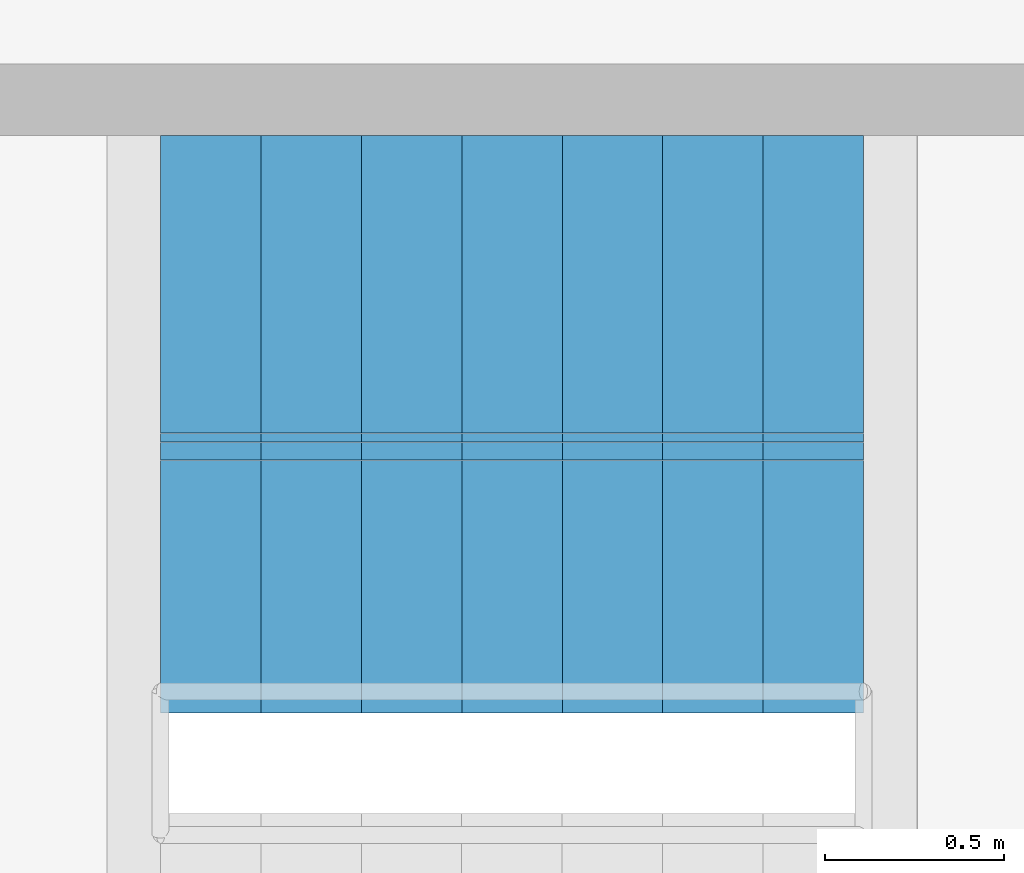
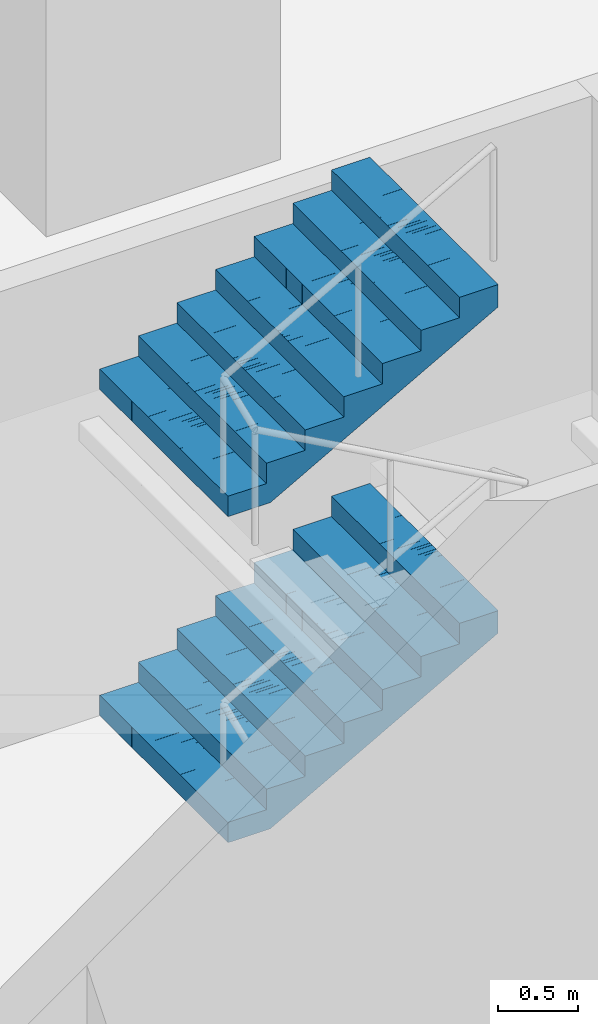
# One storey, part 22 of 23: 2 stair flights, 1 element without a shape of its own.
"""IFC4 building model written with IfcOpenShell, lengths in metres."""

import ifcopenshell
import ifcopenshell.guid

model = None  # the IFC model being written
_history = None  # IfcOwnerHistory: only IFC2X3 demands one
_inside = {}  # id of a spatial element -> (the spatial element, [elements in it])
_under = {}  # id of a project, library or spatial element -> (it, [spatial elements below it])
_declared = {}  # id of a project -> (the project, [libraries it declares])
_typed = {}  # id of a type object -> (the type object, [elements of that type])
_made_of = {}  # id of a material, layer set ... -> (it, [elements and type objects made of it])


def new_model(schema):
    """Start an empty IFC model of exactly this schema.

    Asked for "IFC4X3", IfcOpenShell would pick the latest addendum, in which some entities
    have other attributes; the version numbers below select the first issue.
    IFC2X3 requires an IfcOwnerHistory on every rooted entity: one is made here for all.
    """
    global model, _history
    if schema == "IFC4X3":
        model = ifcopenshell.file(schema_version=(4, 3, 0, 0))
    else:
        model = ifcopenshell.file(schema=schema)
    _inside.clear()
    _under.clear()
    _declared.clear()
    _typed.clear()
    _made_of.clear()
    _history = None
    if model.schema == "IFC2X3":
        org = make("IfcOrganization", Name="unknown")
        user = make(
            "IfcPersonAndOrganization",
            ThePerson=make("IfcPerson", FamilyName="unknown"),
            TheOrganization=org,
        )
        app = make(
            "IfcApplication",
            ApplicationDeveloper=org,
            Version="unknown",
            ApplicationFullName="unknown",
            ApplicationIdentifier="unknown",
        )
        _history = make(
            "IfcOwnerHistory",
            OwningUser=user,
            OwningApplication=app,
            ChangeAction="ADDED",
            CreationDate=0,
        )
    return model


def make(cls, **values):
    """One entity of the class cls with the attributes given. An attribute that is None is left unset."""
    return model.create_entity(
        cls, **{name: value for name, value in values.items() if value is not None}
    )


def rooted(cls, **values):
    """An entity with a GlobalId (a new one), such as an element, a storey or a relation."""
    return make(cls, GlobalId=ifcopenshell.guid.new(), OwnerHistory=_history, **values)


def si_unit(unit_type, name, prefix=None):
    """IfcSIUnit, for example si_unit("LENGTHUNIT", "METRE", prefix="MILLI")."""
    return make("IfcSIUnit", UnitType=unit_type, Prefix=prefix, Name=name)


def assignment(units):
    """IfcUnitAssignment: the units of a project."""
    return None if units is None else make("IfcUnitAssignment", Units=units)


def point(xyz):
    """IfcCartesianPoint."""
    return None if xyz is None else make("IfcCartesianPoint", Coordinates=xyz)


def direction(xyz):
    """IfcDirection."""
    return None if xyz is None else make("IfcDirection", DirectionRatios=xyz)


def frame(location, z_axis=None, x_axis=None):
    """IfcAxis2Placement3D, a coordinate frame: its origin and axes. An axis left out is left unset."""
    return make(
        "IfcAxis2Placement3D",
        Location=point(location),
        Axis=direction(z_axis),
        RefDirection=direction(x_axis),
    )


def origin():
    """The frame at (0, 0, 0) with its axes left unset."""
    return frame((0.0, 0.0, 0.0))


def place(relative_to, where):
    """IfcLocalPlacement: puts the frame where relative to a parent placement (None: the world)."""
    return make(
        "IfcLocalPlacement", PlacementRelTo=relative_to, RelativePlacement=where
    )


def context(
    kind, dimensions, precision=None, world=None, true_north=None, identifier=None
):
    """IfcGeometricRepresentationContext, for example the 3D "Model" context."""
    return make(
        "IfcGeometricRepresentationContext",
        ContextIdentifier=identifier,
        ContextType=kind,
        CoordinateSpaceDimension=dimensions,
        Precision=precision,
        WorldCoordinateSystem=world,
        TrueNorth=true_north,
    )


def subcontext(parent, identifier, kind, view, scale=None):
    """IfcGeometricRepresentationSubContext, for example "Body" below "Model"."""
    return make(
        "IfcGeometricRepresentationSubContext",
        ContextIdentifier=identifier,
        ContextType=kind,
        ParentContext=parent,
        TargetScale=scale,
        TargetView=view,
    )


def project(units=None, contexts=None):
    """IfcProject with its units and contexts."""
    return rooted(
        "IfcProject",
        Name="project",
        RepresentationContexts=contexts,
        UnitsInContext=assignment(units),
    )


def spatial(cls, under=None, at=None, **own):
    """A site, building, storey or space (cls), placed at a placement, below another one or the project."""
    s = rooted(cls, ObjectPlacement=at, **own)
    if under is not None:
        _under.setdefault(under.id(), (under, []))[1].append(s)
    return s


def polyline(points):
    """IfcPolyline through the points."""
    return make("IfcPolyline", Points=[point(p) for p in points])


def outline(outer, holes=None, kind="AREA"):
    """IfcArbitraryClosedProfileDef: a profile drawn as a closed curve; with holes, ...WithVoids."""
    if holes is None:
        return make("IfcArbitraryClosedProfileDef", ProfileType=kind, OuterCurve=outer)
    return make(
        "IfcArbitraryProfileDefWithVoids",
        ProfileType=kind,
        OuterCurve=outer,
        InnerCurves=holes,
    )


def extrude(swept, where, along, depth):
    """IfcExtrudedAreaSolid: the profile swept, set in the frame where, extruded along a direction by depth."""
    return make(
        "IfcExtrudedAreaSolid",
        SweptArea=swept,
        Position=where,
        ExtrudedDirection=direction(along),
        Depth=depth,
    )


def shape(context_of_items, identifier, shape_type, items):
    """IfcShapeRepresentation: the items that make up one representation, for example the "Body"."""
    return make(
        "IfcShapeRepresentation",
        ContextOfItems=context_of_items,
        RepresentationIdentifier=identifier,
        RepresentationType=shape_type,
        Items=items,
    )


def material(Name=None, Category=None):
    """IfcMaterial."""
    return make("IfcMaterial", Name=Name, Category=Category)


def made_of(thing, what):
    """Note that an element or type object is made of a material, layer set ...; save() writes the relation."""
    if what is not None:
        _made_of.setdefault(what.id(), (what, []))[1].append(thing)
    return thing


def type_object(cls, material=None, **own):
    """A type object (cls), such as IfcWallType, which elements share."""
    return made_of(rooted(cls, **own), material)


def element(
    cls,
    number,
    at=None,
    inside=None,
    cuts=None,
    type_object=None,
    material=None,
    context=None,
    identifier="Body",
    shape_type=None,
    held_by="IfcProductDefinitionShape",
    body=None,
    shapes=None,
    **own,
):
    """One element of the class cls, such as IfcWall. Its Tag is "e" and its number.

    at: its placement. inside: the storey or other place that contains it. cuts: it is an
    opening in that element (IfcRelVoidsElement). A single representation is given by context,
    identifier, shape_type and body (its items); several are given by shapes. held_by: the class
    of the entity that holds the representations. save() writes the other relations.
    """
    e = rooted(cls, Tag="e%d" % number, ObjectPlacement=at, **own)
    if body is not None:
        shapes = [shape(context, identifier, shape_type, body)]
    if shapes is not None:
        e.Representation = make(held_by, Representations=shapes)
    if inside is not None:
        _inside.setdefault(inside.id(), (inside, []))[1].append(e)
    if cuts is not None:
        rooted(
            "IfcRelVoidsElement", RelatingBuildingElement=cuts, RelatedOpeningElement=e
        )
    if type_object is not None:
        _typed.setdefault(type_object.id(), (type_object, []))[1].append(e)
    return made_of(e, material)


def aggregate(whole, parts):
    """IfcRelAggregates: a whole, such as a stair, and the parts it consists of."""
    return rooted("IfcRelAggregates", RelatingObject=whole, RelatedObjects=parts)


def save(model, path):
    """Write the relations noted so far, then the file.

    IfcRelAggregates (storeys below a building ...), IfcRelContainedInSpatialStructure (elements
    in a storey), IfcRelDefinesByType, IfcRelAssociatesMaterial and IfcRelDeclares: one each for
    every whole, place, type object, material and project.
    """
    for whole, parts in _under.values():
        aggregate(whole, parts)
    for where, things in _inside.values():
        rooted(
            "IfcRelContainedInSpatialStructure",
            RelatedElements=things,
            RelatingStructure=where,
        )
    for kind, things in _typed.values():
        rooted("IfcRelDefinesByType", RelatedObjects=things, RelatingType=kind)
    for what, things in _made_of.values():
        rooted("IfcRelAssociatesMaterial", RelatedObjects=things, RelatingMaterial=what)
    for by, libraries in _declared.values():
        rooted("IfcRelDeclares", RelatingContext=by, RelatedDefinitions=libraries)
    model.write(path)


model = new_model("IFC4")

# Units and contexts
model_context = context("Model", 3, precision=1e-05, world=origin(), true_north=direction((0.0, 1.0)))
body_context = subcontext(model_context, "Body", "Model", "MODEL_VIEW")
ifc_project = project(units=[si_unit("LENGTHUNIT", "METRE"), si_unit("AREAUNIT", "SQUARE_METRE"), si_unit("VOLUMEUNIT", "CUBIC_METRE"), si_unit("PLANEANGLEUNIT", "RADIAN"), si_unit("MASSUNIT", "GRAM", prefix="KILO")], contexts=[model_context])

# Site, building, storey
site_placement = place(None, origin())
site = spatial("IfcSite", under=ifc_project, at=site_placement, CompositionType="ELEMENT")
building_placement = place(site_placement, origin())
building = spatial("IfcBuilding", under=site, at=building_placement, Name="Mizan Broadcast Tower", CompositionType="ELEMENT")
storey_placement = place(building_placement, frame((0.0, 0.0, 23.0)))
storey = spatial("IfcBuildingStorey", under=building, at=storey_placement, Name="L03", CompositionType="ELEMENT", Elevation=23.0)

# Stair, stair flights
ifc_material_1 = material(Name="Concrete C40/50", Category="concrete")
stair_type = type_object("IfcStairType", Name="EXIT STAIR", PredefinedType="HALF_TURN_STAIR", material=ifc_material_1)
stair_placement = place(storey_placement, origin())
stair = element("IfcStair", 1, at=stair_placement, inside=storey, type_object=stair_type, Name="Stair C L03", PredefinedType="HALF_TURN_STAIR")
ifc_material_2 = material(Name="Concrete C40/50", Category="concrete")
stair_flight_type = type_object("IfcStairFlightType", Name="EXIT STAIR FLIGHT", PredefinedType="STRAIGHT", material=ifc_material_2)
stair_flight_1_placement = place(storey_placement, frame((22.929931640625, 4.094970703125, 1.25), z_axis=(0.0, 0.0, 1.0), x_axis=(1.0, 0.0, 0.0)))
stair_flight_1 = element("IfcStairFlight", 2, at=stair_flight_1_placement, type_object=stair_flight_type, Name="C flight 2", NumberOfRisers=8, NumberOfTreads=7, PredefinedType="STRAIGHT", RiserHeight=0.15625, TreadLength=0.28, context=body_context, shape_type="SweptSolid", body=[
    extrude(outline(polyline([(0.0, 0.0), (0.0, 0.15625), (0.280029296875, 0.15625), (0.280029296875, 0.3125), (0.56005859375, 0.3125), (0.56005859375, 0.46875), (0.840087890625, 0.46875), (0.840087890625, 0.625), (1.1201171875, 0.625), (1.1201171875, 0.78125), (1.39990234375, 0.78125), (1.39990234375, 0.9375), (1.679931640625, 0.9375), (1.679931640625, 1.09375), (1.9599609375, 1.09375), (1.9599609375, 1.25), (1.9599609375, 0.922119140625), (0.3076171875, 0.0), (0.0, 0.0)])), frame((0.0, 0.80517578125, 0.0), z_axis=(0.0, -1.0, 0.0), x_axis=(1.0, 0.0, 0.0)), (0.0, 0.0, 1.0), 0.40234375),
    extrude(outline(polyline([(0.0, 0.0), (0.0, 0.15625), (0.280029296875, 0.15625), (0.280029296875, 0.3125), (0.56005859375, 0.3125), (0.56005859375, 0.46875), (0.840087890625, 0.46875), (0.840087890625, 0.625), (1.1201171875, 0.625), (1.1201171875, 0.78125), (1.39990234375, 0.78125), (1.39990234375, 0.9375), (1.679931640625, 0.9375), (1.679931640625, 1.09375), (1.9599609375, 1.09375), (1.9599609375, 1.25), (1.9599609375, 0.922119140625), (0.3076171875, 0.0), (0.0, 0.0)])), frame((0.0, 0.40234375, 0.0), z_axis=(0.0, -1.0, 0.0), x_axis=(1.0, 0.0, 0.0)), (0.0, 0.0, 1.0), 0.20068359375),
    extrude(outline(polyline([(0.0, 0.0), (0.0, 0.15625), (0.280029296875, 0.15625), (0.280029296875, 0.3125), (0.56005859375, 0.3125), (0.56005859375, 0.46875), (0.840087890625, 0.46875), (0.840087890625, 0.625), (1.1201171875, 0.625), (1.1201171875, 0.78125), (1.39990234375, 0.78125), (1.39990234375, 0.9375), (1.679931640625, 0.9375), (1.679931640625, 1.09375), (1.9599609375, 1.09375), (1.9599609375, 1.25), (1.9599609375, 0.922119140625), (0.3076171875, 0.0), (0.0, 0.0)])), frame((0.0, 0.201171875, 0.0), z_axis=(0.0, -1.0, 0.0), x_axis=(1.0, 0.0, 0.0)), (0.0, 0.0, 1.0), 0.10009765625),
    extrude(outline(polyline([(0.0, 0.0), (0.0, 0.15625), (0.280029296875, 0.15625), (0.280029296875, 0.3125), (0.56005859375, 0.3125), (0.56005859375, 0.46875), (0.840087890625, 0.46875), (0.840087890625, 0.625), (1.1201171875, 0.625), (1.1201171875, 0.78125), (1.39990234375, 0.78125), (1.39990234375, 0.9375), (1.679931640625, 0.9375), (1.679931640625, 1.09375), (1.9599609375, 1.09375), (1.9599609375, 1.25), (1.9599609375, 0.922119140625), (0.3076171875, 0.0), (0.0, 0.0)])), frame((0.0, 0.1005859375, 0.0), z_axis=(0.0, -1.0, 0.0), x_axis=(1.0, 0.0, 0.0)), (0.0, 0.0, 1.0), 0.0498046875),
    extrude(outline(polyline([(0.0, 0.0), (0.0, 0.15625), (0.280029296875, 0.15625), (0.280029296875, 0.3125), (0.56005859375, 0.3125), (0.56005859375, 0.46875), (0.840087890625, 0.46875), (0.840087890625, 0.625), (1.1201171875, 0.625), (1.1201171875, 0.78125), (1.39990234375, 0.78125), (1.39990234375, 0.9375), (1.679931640625, 0.9375), (1.679931640625, 1.09375), (1.9599609375, 1.09375), (1.9599609375, 1.25), (1.9599609375, 0.922119140625), (0.3076171875, 0.0), (0.0, 0.0)])), frame((0.0, 0.05029296875, 0.0), z_axis=(0.0, -1.0, 0.0), x_axis=(1.0, 0.0, 0.0)), (0.0, 0.0, 1.0), 0.024658203125),
    extrude(outline(polyline([(0.0, 0.0), (0.0, 0.15625), (0.280029296875, 0.15625), (0.280029296875, 0.3125), (0.56005859375, 0.3125), (0.56005859375, 0.46875), (0.840087890625, 0.46875), (0.840087890625, 0.625), (1.1201171875, 0.625), (1.1201171875, 0.78125), (1.39990234375, 0.78125), (1.39990234375, 0.9375), (1.679931640625, 0.9375), (1.679931640625, 1.09375), (1.9599609375, 1.09375), (1.9599609375, 1.25), (1.9599609375, 0.922119140625), (0.3076171875, 0.0), (0.0, 0.0)])), frame((0.0, 0.025146484375, 0.0), z_axis=(0.0, -1.0, 0.0), x_axis=(1.0, 0.0, 0.0)), (0.0, 0.0, 1.0), 0.050048828125),
    extrude(outline(polyline([(0.0, 0.0), (0.0, 0.15625), (0.280029296875, 0.15625), (0.280029296875, 0.3125), (0.56005859375, 0.3125), (0.56005859375, 0.46875), (0.840087890625, 0.46875), (0.840087890625, 0.625), (1.1201171875, 0.625), (1.1201171875, 0.78125), (1.39990234375, 0.78125), (1.39990234375, 0.9375), (1.679931640625, 0.9375), (1.679931640625, 1.09375), (1.9599609375, 1.09375), (1.9599609375, 1.25), (1.9599609375, 0.922119140625), (0.3076171875, 0.0), (0.0, 0.0)])), frame((0.0, -0.025390625, 0.0), z_axis=(0.0, -1.0, 0.0), x_axis=(1.0, 0.0, 0.0)), (0.0, 0.0, 1.0), 0.024658203125),
    extrude(outline(polyline([(0.0, 0.0), (0.0, 0.15625), (0.280029296875, 0.15625), (0.280029296875, 0.3125), (0.56005859375, 0.3125), (0.56005859375, 0.46875), (0.840087890625, 0.46875), (0.840087890625, 0.625), (1.1201171875, 0.625), (1.1201171875, 0.78125), (1.39990234375, 0.78125), (1.39990234375, 0.9375), (1.679931640625, 0.9375), (1.679931640625, 1.09375), (1.9599609375, 1.09375), (1.9599609375, 1.25), (1.9599609375, 0.922119140625), (0.3076171875, 0.0), (0.0, 0.0)])), frame((0.0, -0.050537109375, 0.0), z_axis=(0.0, -1.0, 0.0), x_axis=(1.0, 0.0, 0.0)), (0.0, 0.0, 1.0), 0.0498046875),
    extrude(outline(polyline([(0.0, 0.0), (0.0, 0.15625), (0.280029296875, 0.15625), (0.280029296875, 0.3125), (0.56005859375, 0.3125), (0.56005859375, 0.46875), (0.840087890625, 0.46875), (0.840087890625, 0.625), (1.1201171875, 0.625), (1.1201171875, 0.78125), (1.39990234375, 0.78125), (1.39990234375, 0.9375), (1.679931640625, 0.9375), (1.679931640625, 1.09375), (1.9599609375, 1.09375), (1.9599609375, 1.25), (1.9599609375, 0.922119140625), (0.3076171875, 0.0), (0.0, 0.0)])), frame((0.0, -0.100830078125, 0.0), z_axis=(0.0, -1.0, 0.0), x_axis=(1.0, 0.0, 0.0)), (0.0, 0.0, 1.0), 0.10009765625),
    extrude(outline(polyline([(0.0, 0.0), (0.0, 0.15625), (0.280029296875, 0.15625), (0.280029296875, 0.3125), (0.56005859375, 0.3125), (0.56005859375, 0.46875), (0.840087890625, 0.46875), (0.840087890625, 0.625), (1.1201171875, 0.625), (1.1201171875, 0.78125), (1.39990234375, 0.78125), (1.39990234375, 0.9375), (1.679931640625, 0.9375), (1.679931640625, 1.09375), (1.9599609375, 1.09375), (1.9599609375, 1.25), (1.9599609375, 0.922119140625), (0.3076171875, 0.0), (0.0, 0.0)])), frame((0.0, -0.201416015625, 0.0), z_axis=(0.0, -1.0, 0.0), x_axis=(1.0, 0.0, 0.0)), (0.0, 0.0, 1.0), 0.20068359375),
    extrude(outline(polyline([(0.0, 0.0), (0.0, 0.15625), (0.280029296875, 0.15625), (0.280029296875, 0.3125), (0.56005859375, 0.3125), (0.56005859375, 0.46875), (0.840087890625, 0.46875), (0.840087890625, 0.625), (1.1201171875, 0.625), (1.1201171875, 0.78125), (1.39990234375, 0.78125), (1.39990234375, 0.9375), (1.679931640625, 0.9375), (1.679931640625, 1.09375), (1.9599609375, 1.09375), (1.9599609375, 1.25), (1.9599609375, 0.922119140625), (0.3076171875, 0.0), (0.0, 0.0)])), frame((0.0, -0.402587890625, 0.0), z_axis=(0.0, -1.0, 0.0), x_axis=(1.0, 0.0, 0.0)), (0.0, 0.0, 1.0), 0.40234375),
])
stair_flight_2_placement = place(storey_placement, frame((22.929931640625, 4.094970703125, 3.75), z_axis=(0.0, 0.0, 1.0), x_axis=(1.0, 0.0, 0.0)))
stair_flight_2 = element("IfcStairFlight", 3, at=stair_flight_2_placement, type_object=stair_flight_type, Name="C flight 4", NumberOfRisers=8, NumberOfTreads=7, PredefinedType="STRAIGHT", RiserHeight=0.15625, TreadLength=0.28, context=body_context, shape_type="SweptSolid", body=[
    extrude(outline(polyline([(0.0, 0.0), (0.0, 0.15625), (0.280029296875, 0.15625), (0.280029296875, 0.3125), (0.56005859375, 0.3125), (0.56005859375, 0.46875), (0.840087890625, 0.46875), (0.840087890625, 0.625), (1.1201171875, 0.625), (1.1201171875, 0.78125), (1.39990234375, 0.78125), (1.39990234375, 0.9375), (1.679931640625, 0.9375), (1.679931640625, 1.09375), (1.9599609375, 1.09375), (1.9599609375, 1.25), (1.9599609375, 0.922119140625), (0.3076171875, 0.0), (0.0, 0.0)])), frame((0.0, 0.80517578125, 0.0), z_axis=(0.0, -1.0, 0.0), x_axis=(1.0, 0.0, 0.0)), (0.0, 0.0, 1.0), 0.40234375),
    extrude(outline(polyline([(0.0, 0.0), (0.0, 0.15625), (0.280029296875, 0.15625), (0.280029296875, 0.3125), (0.56005859375, 0.3125), (0.56005859375, 0.46875), (0.840087890625, 0.46875), (0.840087890625, 0.625), (1.1201171875, 0.625), (1.1201171875, 0.78125), (1.39990234375, 0.78125), (1.39990234375, 0.9375), (1.679931640625, 0.9375), (1.679931640625, 1.09375), (1.9599609375, 1.09375), (1.9599609375, 1.25), (1.9599609375, 0.922119140625), (0.3076171875, 0.0), (0.0, 0.0)])), frame((0.0, 0.40234375, 0.0), z_axis=(0.0, -1.0, 0.0), x_axis=(1.0, 0.0, 0.0)), (0.0, 0.0, 1.0), 0.20068359375),
    extrude(outline(polyline([(0.0, 0.0), (0.0, 0.15625), (0.280029296875, 0.15625), (0.280029296875, 0.3125), (0.56005859375, 0.3125), (0.56005859375, 0.46875), (0.840087890625, 0.46875), (0.840087890625, 0.625), (1.1201171875, 0.625), (1.1201171875, 0.78125), (1.39990234375, 0.78125), (1.39990234375, 0.9375), (1.679931640625, 0.9375), (1.679931640625, 1.09375), (1.9599609375, 1.09375), (1.9599609375, 1.25), (1.9599609375, 0.922119140625), (0.3076171875, 0.0), (0.0, 0.0)])), frame((0.0, 0.201171875, 0.0), z_axis=(0.0, -1.0, 0.0), x_axis=(1.0, 0.0, 0.0)), (0.0, 0.0, 1.0), 0.10009765625),
    extrude(outline(polyline([(0.0, 0.0), (0.0, 0.15625), (0.280029296875, 0.15625), (0.280029296875, 0.3125), (0.56005859375, 0.3125), (0.56005859375, 0.46875), (0.840087890625, 0.46875), (0.840087890625, 0.625), (1.1201171875, 0.625), (1.1201171875, 0.78125), (1.39990234375, 0.78125), (1.39990234375, 0.9375), (1.679931640625, 0.9375), (1.679931640625, 1.09375), (1.9599609375, 1.09375), (1.9599609375, 1.25), (1.9599609375, 0.922119140625), (0.3076171875, 0.0), (0.0, 0.0)])), frame((0.0, 0.1005859375, 0.0), z_axis=(0.0, -1.0, 0.0), x_axis=(1.0, 0.0, 0.0)), (0.0, 0.0, 1.0), 0.0498046875),
    extrude(outline(polyline([(0.0, 0.0), (0.0, 0.15625), (0.280029296875, 0.15625), (0.280029296875, 0.3125), (0.56005859375, 0.3125), (0.56005859375, 0.46875), (0.840087890625, 0.46875), (0.840087890625, 0.625), (1.1201171875, 0.625), (1.1201171875, 0.78125), (1.39990234375, 0.78125), (1.39990234375, 0.9375), (1.679931640625, 0.9375), (1.679931640625, 1.09375), (1.9599609375, 1.09375), (1.9599609375, 1.25), (1.9599609375, 0.922119140625), (0.3076171875, 0.0), (0.0, 0.0)])), frame((0.0, 0.05029296875, 0.0), z_axis=(0.0, -1.0, 0.0), x_axis=(1.0, 0.0, 0.0)), (0.0, 0.0, 1.0), 0.024658203125),
    extrude(outline(polyline([(0.0, 0.0), (0.0, 0.15625), (0.280029296875, 0.15625), (0.280029296875, 0.3125), (0.56005859375, 0.3125), (0.56005859375, 0.46875), (0.840087890625, 0.46875), (0.840087890625, 0.625), (1.1201171875, 0.625), (1.1201171875, 0.78125), (1.39990234375, 0.78125), (1.39990234375, 0.9375), (1.679931640625, 0.9375), (1.679931640625, 1.09375), (1.9599609375, 1.09375), (1.9599609375, 1.25), (1.9599609375, 0.922119140625), (0.3076171875, 0.0), (0.0, 0.0)])), frame((0.0, 0.025146484375, 0.0), z_axis=(0.0, -1.0, 0.0), x_axis=(1.0, 0.0, 0.0)), (0.0, 0.0, 1.0), 0.050048828125),
    extrude(outline(polyline([(0.0, 0.0), (0.0, 0.15625), (0.280029296875, 0.15625), (0.280029296875, 0.3125), (0.56005859375, 0.3125), (0.56005859375, 0.46875), (0.840087890625, 0.46875), (0.840087890625, 0.625), (1.1201171875, 0.625), (1.1201171875, 0.78125), (1.39990234375, 0.78125), (1.39990234375, 0.9375), (1.679931640625, 0.9375), (1.679931640625, 1.09375), (1.9599609375, 1.09375), (1.9599609375, 1.25), (1.9599609375, 0.922119140625), (0.3076171875, 0.0), (0.0, 0.0)])), frame((0.0, -0.025390625, 0.0), z_axis=(0.0, -1.0, 0.0), x_axis=(1.0, 0.0, 0.0)), (0.0, 0.0, 1.0), 0.024658203125),
    extrude(outline(polyline([(0.0, 0.0), (0.0, 0.15625), (0.280029296875, 0.15625), (0.280029296875, 0.3125), (0.56005859375, 0.3125), (0.56005859375, 0.46875), (0.840087890625, 0.46875), (0.840087890625, 0.625), (1.1201171875, 0.625), (1.1201171875, 0.78125), (1.39990234375, 0.78125), (1.39990234375, 0.9375), (1.679931640625, 0.9375), (1.679931640625, 1.09375), (1.9599609375, 1.09375), (1.9599609375, 1.25), (1.9599609375, 0.922119140625), (0.3076171875, 0.0), (0.0, 0.0)])), frame((0.0, -0.050537109375, 0.0), z_axis=(0.0, -1.0, 0.0), x_axis=(1.0, 0.0, 0.0)), (0.0, 0.0, 1.0), 0.0498046875),
    extrude(outline(polyline([(0.0, 0.0), (0.0, 0.15625), (0.280029296875, 0.15625), (0.280029296875, 0.3125), (0.56005859375, 0.3125), (0.56005859375, 0.46875), (0.840087890625, 0.46875), (0.840087890625, 0.625), (1.1201171875, 0.625), (1.1201171875, 0.78125), (1.39990234375, 0.78125), (1.39990234375, 0.9375), (1.679931640625, 0.9375), (1.679931640625, 1.09375), (1.9599609375, 1.09375), (1.9599609375, 1.25), (1.9599609375, 0.922119140625), (0.3076171875, 0.0), (0.0, 0.0)])), frame((0.0, -0.100830078125, 0.0), z_axis=(0.0, -1.0, 0.0), x_axis=(1.0, 0.0, 0.0)), (0.0, 0.0, 1.0), 0.10009765625),
    extrude(outline(polyline([(0.0, 0.0), (0.0, 0.15625), (0.280029296875, 0.15625), (0.280029296875, 0.3125), (0.56005859375, 0.3125), (0.56005859375, 0.46875), (0.840087890625, 0.46875), (0.840087890625, 0.625), (1.1201171875, 0.625), (1.1201171875, 0.78125), (1.39990234375, 0.78125), (1.39990234375, 0.9375), (1.679931640625, 0.9375), (1.679931640625, 1.09375), (1.9599609375, 1.09375), (1.9599609375, 1.25), (1.9599609375, 0.922119140625), (0.3076171875, 0.0), (0.0, 0.0)])), frame((0.0, -0.201416015625, 0.0), z_axis=(0.0, -1.0, 0.0), x_axis=(1.0, 0.0, 0.0)), (0.0, 0.0, 1.0), 0.20068359375),
    extrude(outline(polyline([(0.0, 0.0), (0.0, 0.15625), (0.280029296875, 0.15625), (0.280029296875, 0.3125), (0.56005859375, 0.3125), (0.56005859375, 0.46875), (0.840087890625, 0.46875), (0.840087890625, 0.625), (1.1201171875, 0.625), (1.1201171875, 0.78125), (1.39990234375, 0.78125), (1.39990234375, 0.9375), (1.679931640625, 0.9375), (1.679931640625, 1.09375), (1.9599609375, 1.09375), (1.9599609375, 1.25), (1.9599609375, 0.922119140625), (0.3076171875, 0.0), (0.0, 0.0)])), frame((0.0, -0.402587890625, 0.0), z_axis=(0.0, -1.0, 0.0), x_axis=(1.0, 0.0, 0.0)), (0.0, 0.0, 1.0), 0.40234375),
])
aggregate(stair, [stair_flight_1, stair_flight_2])

save(model, "model.ifc")
